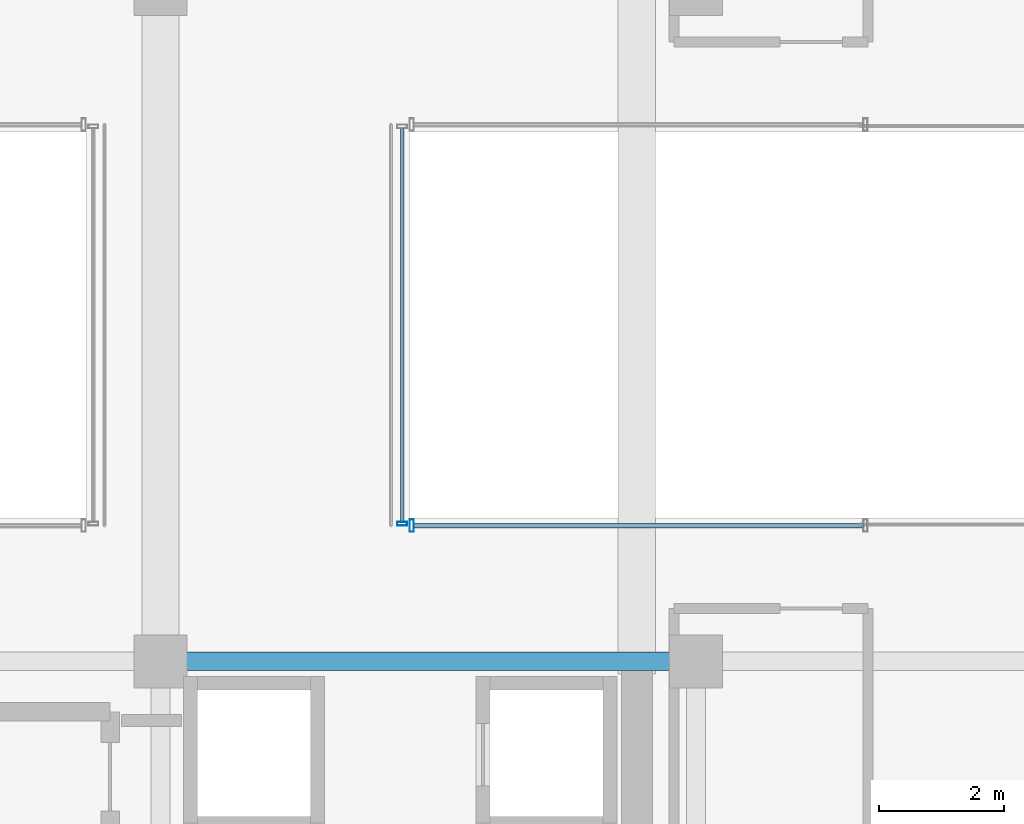
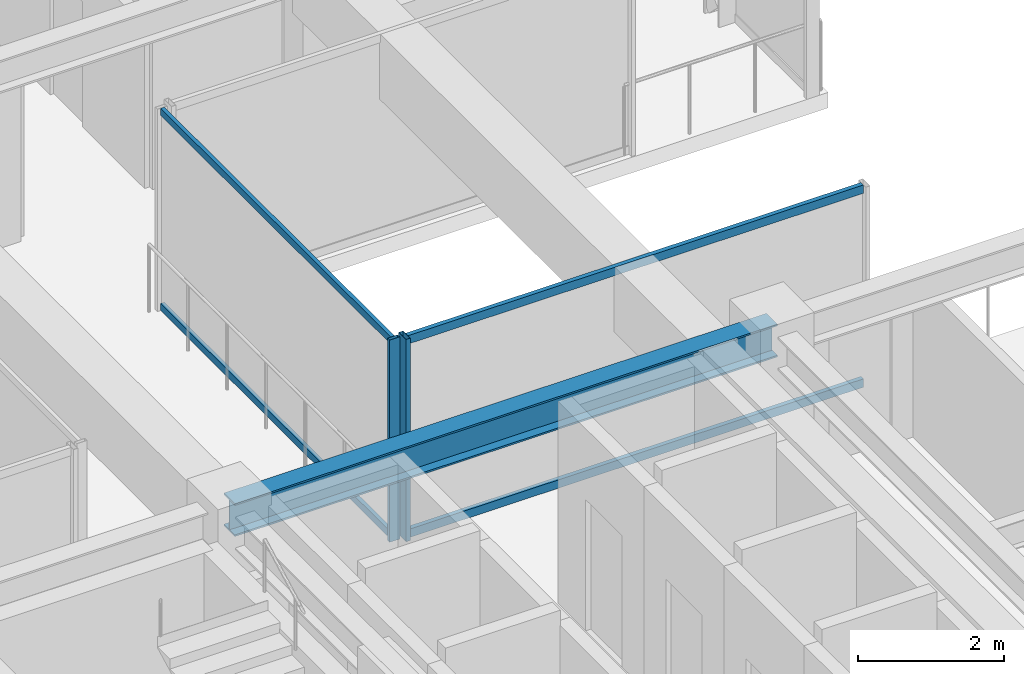
# One storey, part 16 of 36: 6 members, 1 beam, 2 elements without a shape of their own.
"""IFC4 building model written with IfcOpenShell, lengths in metres."""

from ifc_helpers import new_model, si_unit, direction, frame, origin, origin_2d, place, context, subcontext, project, spatial, hollow_rectangle, i_section, extrude, source, transform, mapped, material, material_profile, profile_set, type_object, element, aggregate, save


model = new_model("IFC4")

# Units and contexts
model_context = context("Model", 3, precision=1e-05, world=origin(), true_north=direction((0.0, 1.0)))
body_context = subcontext(model_context, "Body", "Model", "MODEL_VIEW")
ifc_project = project(units=[si_unit("LENGTHUNIT", "METRE"), si_unit("AREAUNIT", "SQUARE_METRE"), si_unit("VOLUMEUNIT", "CUBIC_METRE"), si_unit("PLANEANGLEUNIT", "RADIAN"), si_unit("MASSUNIT", "GRAM", prefix="KILO")], contexts=[model_context])

# Site, building, storey
site_placement = place(None, origin())
site = spatial("IfcSite", under=ifc_project, at=site_placement, CompositionType="ELEMENT")
building_placement = place(site_placement, origin())
building = spatial("IfcBuilding", under=site, at=building_placement, Name="Nahalor Promenade Grand Hotel", CompositionType="ELEMENT")
storey_placement = place(building_placement, frame((0.0, 0.0, 174.550048828125)))
storey = spatial("IfcBuildingStorey", under=building, at=storey_placement, Name="L44", CompositionType="ELEMENT", Elevation=174.550048828125)

# Beam
ifc_material_1 = material(Name="Steel S355JR", Category="steel")
ifc_material_profile_1 = material_profile(ifc_material_1, i_section(OverallWidth=0.3, OverallDepth=0.55, WebThickness=0.015, FlangeThickness=0.029, at=origin_2d()), Name="HEB 550")
ifc_profile_set_1 = profile_set([ifc_material_profile_1], Name="Steel S355JR")
beam_type = type_object("IfcBeamType", Name="Beam-Girder-HEB550", PredefinedType="BEAM", material=ifc_profile_set_1)
shared_shape_1 = source(origin(), body_context, "Body", "SweptSolid", [
    extrude(i_section(OverallWidth=0.3, OverallDepth=0.55, WebThickness=0.015, FlangeThickness=0.029, at=origin_2d()), origin(), (0.0, 0.0, 1.0), 8.60009765625),
])
beam_placement = place(storey_placement, frame((8.39990234375, -5.39990234375, 3.114990234375), z_axis=(1.0, 0.0, 0.0), x_axis=(0.0, 1.0, 0.0)))
element("IfcBeam", 1, at=beam_placement, inside=storey, type_object=beam_type, Name="BM-L44-GX-1-5", PredefinedType="BEAM", context=body_context, shape_type="MappedRepresentation", body=[
    mapped(shared_shape_1, transform((0.0, 0.0, 0.0), scale=1.0)),
])

# Curtain wall, members
ifc_material_2 = material(Name="Anodised Bronze Aluminium EN AW-6063 T6", Category="aluminium")
curtain_wall_type_1 = type_object("IfcCurtainWallType", Name="CW4 Low-Iron Sky-Gallery Bridge Curtain Wall", PredefinedType="USERDEFINED", material=ifc_material_2)
curtain_wall_1_placement = place(storey_placement, origin())
curtain_wall_1 = element("IfcCurtainWall", 2, at=curtain_wall_1_placement, inside=storey, type_object=curtain_wall_type_1, Name="L44 Curtain Wall CW-L44-BRG-E", ObjectType="UNITISED_CURTAIN_WALL", PredefinedType="USERDEFINED")
ifc_material_profile_2 = material_profile(ifc_material_2, hollow_rectangle(XDim=0.06, YDim=0.12, WallThickness=0.004, at=origin_2d()), Name="CWT 60x120x4")
ifc_profile_set_2 = profile_set([ifc_material_profile_2], Name="Anodised Bronze Aluminium EN AW-6063 T6")
member_type_1 = type_object("IfcMemberType", Name="CWT4 Sky-Gallery Slim Transom 60x120", PredefinedType="USERDEFINED", material=ifc_profile_set_2)
shared_shape_2 = source(origin(), body_context, "Body", "SweptSolid", [
    extrude(hollow_rectangle(XDim=0.06, YDim=0.12, WallThickness=0.004, at=origin_2d()), origin(), (0.0, 0.0, 1.0), 6.31982421875),
])
member_1_placement = place(storey_placement, frame((12.280029296875, -3.159912109375, 0.06005859375), z_axis=(0.0, 1.0, 0.0), x_axis=(-1.0, 0.0, 0.0)))
member_1 = element("IfcMember", 3, at=member_1_placement, type_object=member_type_1, Name="CW-L44-BRG-E Transom 0-0", ObjectType="TRANSOM", PredefinedType="USERDEFINED", context=body_context, shape_type="MappedRepresentation", body=[
    mapped(shared_shape_2, transform((0.0, 0.0, 0.0), scale=1.0)),
])
member_2_placement = place(storey_placement, frame((12.280029296875, -3.159912109375, 3.329833984375), z_axis=(0.0, 1.0, 0.0), x_axis=(-1.0, 0.0, 0.0)))
member_2 = element("IfcMember", 4, at=member_2_placement, type_object=member_type_1, Name="CW-L44-BRG-E Transom 0-1", ObjectType="TRANSOM", PredefinedType="USERDEFINED", context=body_context, shape_type="MappedRepresentation", body=[
    mapped(shared_shape_2, transform((0.0, 0.0, 0.0), scale=1.0)),
])

curtain_wall_type_2 = type_object("IfcCurtainWallType", Name="CW3 Elliptical-Void Collar Unitised Curtain Wall", PredefinedType="USERDEFINED", material=ifc_material_2)
curtain_wall_2_placement = place(storey_placement, origin())
curtain_wall_2 = element("IfcCurtainWall", 5, at=curtain_wall_2_placement, inside=storey, type_object=curtain_wall_type_2, Name="L44 Curtain Wall CW-L44-VOID-ES1", ObjectType="UNITISED_CURTAIN_WALL", PredefinedType="USERDEFINED")
ifc_material_profile_3 = material_profile(ifc_material_2, hollow_rectangle(XDim=0.07, YDim=0.14, WallThickness=0.004, at=origin_2d()), Name="CWT 70x140x4")
ifc_profile_set_3 = profile_set([ifc_material_profile_3], Name="Anodised Bronze Aluminium EN AW-6063 T6")
member_type_2 = type_object("IfcMemberType", Name="CWT3 Void Collar Transom 70x140", PredefinedType="USERDEFINED", material=ifc_profile_set_3)
shared_shape_3 = source(origin(), body_context, "Body", "SweptSolid", [
    extrude(hollow_rectangle(XDim=0.07, YDim=0.14, WallThickness=0.004, at=origin_2d()), origin(), (0.0, 0.0, 1.0), 7.219970703125),
])
member_3_placement = place(storey_placement, frame((12.469970703125, -3.219970703125, 0.070068359375), z_axis=(1.0, 0.0, 0.0), x_axis=(0.0, 1.0, 0.0)))
member_3 = element("IfcMember", 6, at=member_3_placement, type_object=member_type_2, Name="CW-L44-VOID-ES1 Transom 0-0", ObjectType="TRANSOM", PredefinedType="USERDEFINED", context=body_context, shape_type="MappedRepresentation", body=[
    mapped(shared_shape_3, transform((0.0, 0.0, 0.0), scale=1.0)),
])
member_4_placement = place(storey_placement, frame((12.469970703125, -3.219970703125, 3.320068359375), z_axis=(1.0, 0.0, 0.0), x_axis=(0.0, 1.0, 0.0)))
member_4 = element("IfcMember", 7, at=member_4_placement, type_object=member_type_2, Name="CW-L44-VOID-ES1 Transom 0-1", ObjectType="TRANSOM", PredefinedType="USERDEFINED", context=body_context, shape_type="MappedRepresentation", body=[
    mapped(shared_shape_3, transform((0.0, 0.0, 0.0), scale=1.0)),
])
ifc_material_profile_4 = material_profile(ifc_material_2, hollow_rectangle(XDim=0.07, YDim=0.2, WallThickness=0.005, at=origin_2d()), Name="CWM 70x200x5")
ifc_profile_set_4 = profile_set([ifc_material_profile_4], Name="Anodised Bronze Aluminium EN AW-6063 T6")
member_type_3 = type_object("IfcMemberType", Name="CWM3 Void Collar Mullion 70x200", PredefinedType="MULLION", material=ifc_profile_set_4)
shared_shape_4 = source(origin(), body_context, "Body", "SweptSolid", [
    extrude(hollow_rectangle(XDim=0.07, YDim=0.2, WallThickness=0.005, at=origin_2d()), origin(), (0.0, 0.0, 1.0), 3.389892578125),
])
member_5_placement = place(storey_placement, frame((12.43505859375, -3.219970703125, 0.0), z_axis=(0.0, 0.0, 1.0), x_axis=(1.0, 0.0, 0.0)))
member_5 = element("IfcMember", 8, at=member_5_placement, type_object=member_type_3, Name="CW-L44-VOID-ES1 Mullion 0", PredefinedType="MULLION", context=body_context, shape_type="MappedRepresentation", body=[
    mapped(shared_shape_4, transform((0.0, 0.0, 0.0), scale=1.0)),
])
aggregate(curtain_wall_2, [member_5, member_3, member_4])

# Member
ifc_material_profile_5 = material_profile(ifc_material_2, hollow_rectangle(XDim=0.06, YDim=0.16, WallThickness=0.004, at=origin_2d()), Name="CWM 60x160x4")
ifc_profile_set_5 = profile_set([ifc_material_profile_5], Name="Anodised Bronze Aluminium EN AW-6063 T6")
member_type_4 = type_object("IfcMemberType", Name="CWM4 Sky-Gallery Slim Mullion 60x160", PredefinedType="MULLION", material=ifc_profile_set_5)
shared_shape_5 = source(origin(), body_context, "Body", "SweptSolid", [
    extrude(hollow_rectangle(XDim=0.06, YDim=0.16, WallThickness=0.004, at=origin_2d()), origin(), (0.0, 0.0, 1.0), 3.389892578125),
])
member_6_placement = place(storey_placement, frame((12.280029296875, -3.18994140625, 0.0), z_axis=(0.0, 0.0, 1.0), x_axis=(0.0, 1.0, 0.0)))
member_6 = element("IfcMember", 9, at=member_6_placement, type_object=member_type_4, Name="CW-L44-BRG-E Mullion 0", PredefinedType="MULLION", context=body_context, shape_type="MappedRepresentation", body=[
    mapped(shared_shape_5, transform((0.0, 0.0, 0.0), scale=1.0)),
])

aggregate(curtain_wall_1, [member_6, member_1, member_2])

save(model, "model.ifc")
